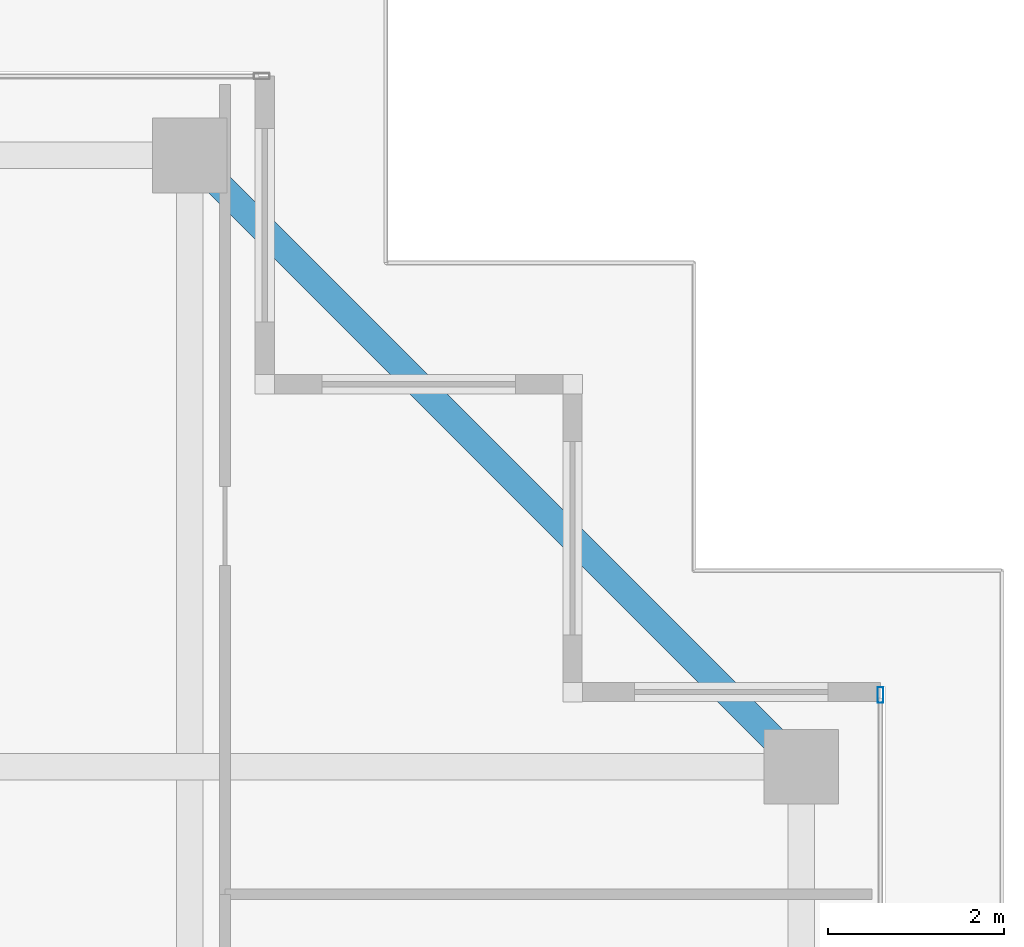
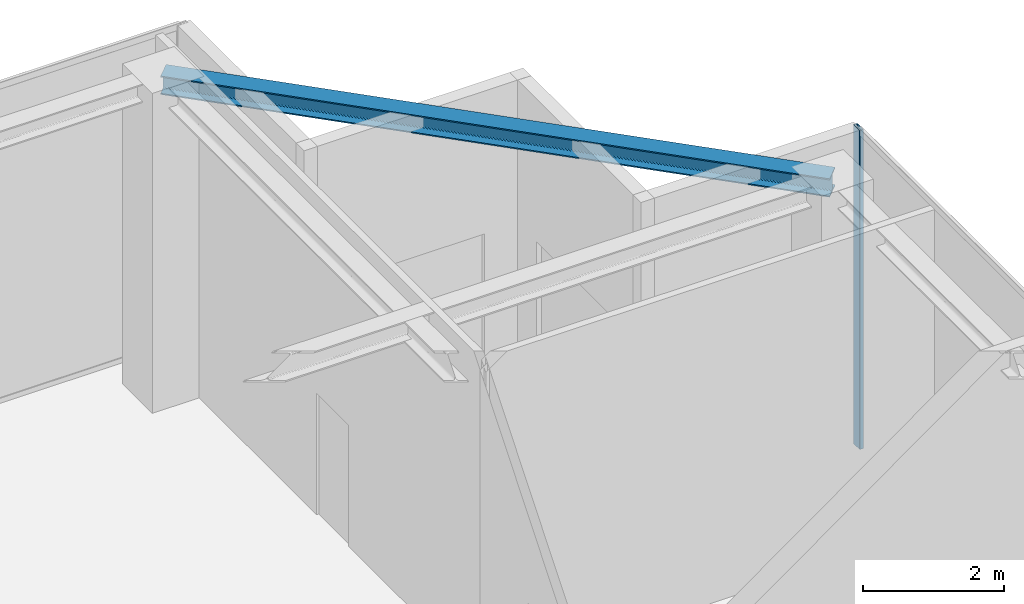
# One storey, part 23 of 38: 1 beam, 1 member, 1 element without a shape of its own.
"""IFC4 building model written with IfcOpenShell, lengths in metres."""

from ifc_helpers import new_model, si_unit, direction, frame, origin, origin_2d, place, context, subcontext, project, spatial, hollow_rectangle, i_section, extrude, source, transform, mapped, material, layer, layer_set, material_profile, profile_set, type_object, element, aggregate, save


model = new_model("IFC4")

# Units and contexts
model_context = context("Model", 3, precision=1e-05, world=origin(), true_north=direction((0.0, 1.0)))
body_context = subcontext(model_context, "Body", "Model", "MODEL_VIEW")
ifc_project = project(units=[si_unit("LENGTHUNIT", "METRE"), si_unit("AREAUNIT", "SQUARE_METRE"), si_unit("VOLUMEUNIT", "CUBIC_METRE"), si_unit("PLANEANGLEUNIT", "RADIAN"), si_unit("MASSUNIT", "GRAM", prefix="KILO")], contexts=[model_context])

# Site, building, storey
site_placement = place(None, origin())
site = spatial("IfcSite", under=ifc_project, at=site_placement, CompositionType="ELEMENT")
building_placement = place(site_placement, origin())
building = spatial("IfcBuilding", under=site, at=building_placement, Name="Serunith Strait Residences", CompositionType="ELEMENT")
storey_placement = place(building_placement, frame((0.0, 0.0, 353.85009765625)))
storey = spatial("IfcBuildingStorey", under=building, at=storey_placement, Name="L87", CompositionType="ELEMENT", Elevation=353.85009765625)

# Beam
ifc_material_1 = material(Name="Steel S355J2", Category="steel")
ifc_material_profile_1 = material_profile(ifc_material_1, i_section(OverallWidth=0.300048828125, OverallDepth=0.320068359375, WebThickness=0.011474609375, FlangeThickness=0.0205078125, FilletRadius=0.027099609375, at=origin_2d()), Name="HEB 320")
ifc_profile_set_1 = profile_set([ifc_material_profile_1], Name="Steel S355J2")
beam_type = type_object("IfcBeamType", Name="BM-HEB320", PredefinedType="BEAM", material=ifc_profile_set_1)
shared_shape_1 = source(origin(), body_context, "Body", "SweptSolid", [
    extrude(i_section(OverallWidth=0.300048828125, OverallDepth=0.320068359375, WebThickness=0.011474609375, FlangeThickness=0.0205078125, FilletRadius=0.027099609375, at=origin_2d()), origin(), (0.0, 0.0, 1.0), 9.828857421875),
])
beam_placement = place(storey_placement, frame((53.10009765625, 38.550048828125, 5.376953125), z_axis=(-0.707119200622, 0.707094361533, 0.0), x_axis=(-0.707094361533, -0.707119200622, 0.0)))
element("IfcBeam", 1, at=beam_placement, inside=storey, type_object=beam_type, Name="L87 Perimeter Ring Beam 08", PredefinedType="BEAM", context=body_context, shape_type="MappedRepresentation", body=[
    mapped(shared_shape_1, transform((0.0, 0.0, 0.0), scale=1.0)),
])

# Curtain wall, member
ifc_material_2 = material(Name="Brushed Stainless-Silver Aluminium", Category="aluminium")
ifc_layer = layer(ifc_material_2, 0.199951171875, Name="Brushed Stainless-Silver Aluminium")
ifc_layer_set = layer_set([ifc_layer], Name="Brushed Stainless-Silver Aluminium")
curtain_wall_type = type_object("IfcCurtainWallType", Name="CW-SYS5", PredefinedType="NOTDEFINED", material=ifc_layer_set)
curtain_wall_placement = place(storey_placement, origin())
curtain_wall = element("IfcCurtainWall", 2, at=curtain_wall_placement, inside=storey, type_object=curtain_wall_type, Name="L87 E Unitised Fritted Curtain Wall", PredefinedType="NOTDEFINED")
ifc_material_profile_2 = material_profile(ifc_material_2, hollow_rectangle(XDim=0.06494140625, YDim=0.179931640625, WallThickness=0.00341796875, InnerFilletRadius=0.00537109375, OuterFilletRadius=0.0087890625, at=origin_2d()), Name="ALU 180x65x3.5")
ifc_profile_set_2 = profile_set([ifc_material_profile_2], Name="Brushed Stainless-Silver Aluminium")
member_type = type_object("IfcMemberType", Name="CW-SYS5-MULL", PredefinedType="MULLION", material=ifc_profile_set_2)
shared_shape_2 = source(origin(), body_context, "Body", "SweptSolid", [
    extrude(hollow_rectangle(XDim=0.06494140625, YDim=0.179931640625, WallThickness=0.00341796875, InnerFilletRadius=0.00537109375, OuterFilletRadius=0.0087890625, at=origin_2d()), origin(), (0.0, 0.0, 1.0), 5.52490234375),
])
member_placement = place(storey_placement, frame((54.0, 39.367431640625, 0.0), z_axis=(0.0, 0.0, 1.0), x_axis=(-1.0, 0.0, 0.0)))
member = element("IfcMember", 3, at=member_placement, type_object=member_type, Name="CW-5 mullion 5", PredefinedType="MULLION", context=body_context, shape_type="MappedRepresentation", body=[
    mapped(shared_shape_2, transform((0.0, 0.0, 0.0), scale=1.0)),
])
aggregate(curtain_wall, [member])

save(model, "model.ifc")
